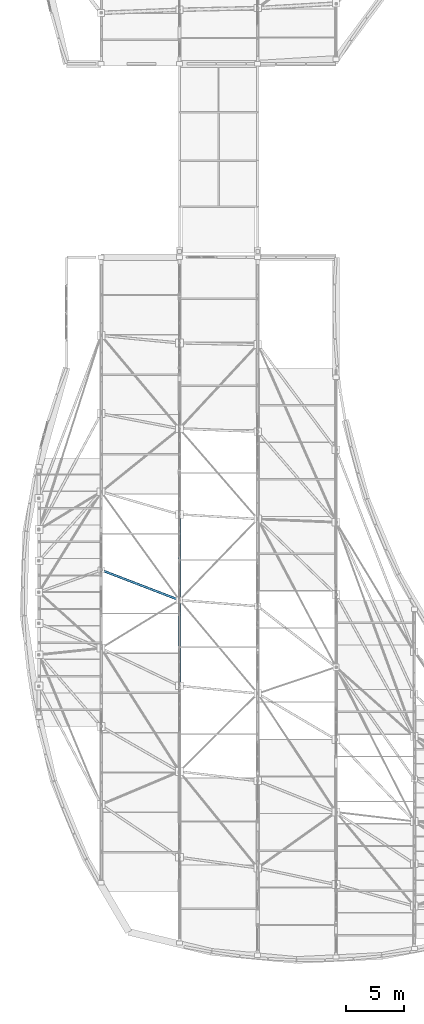
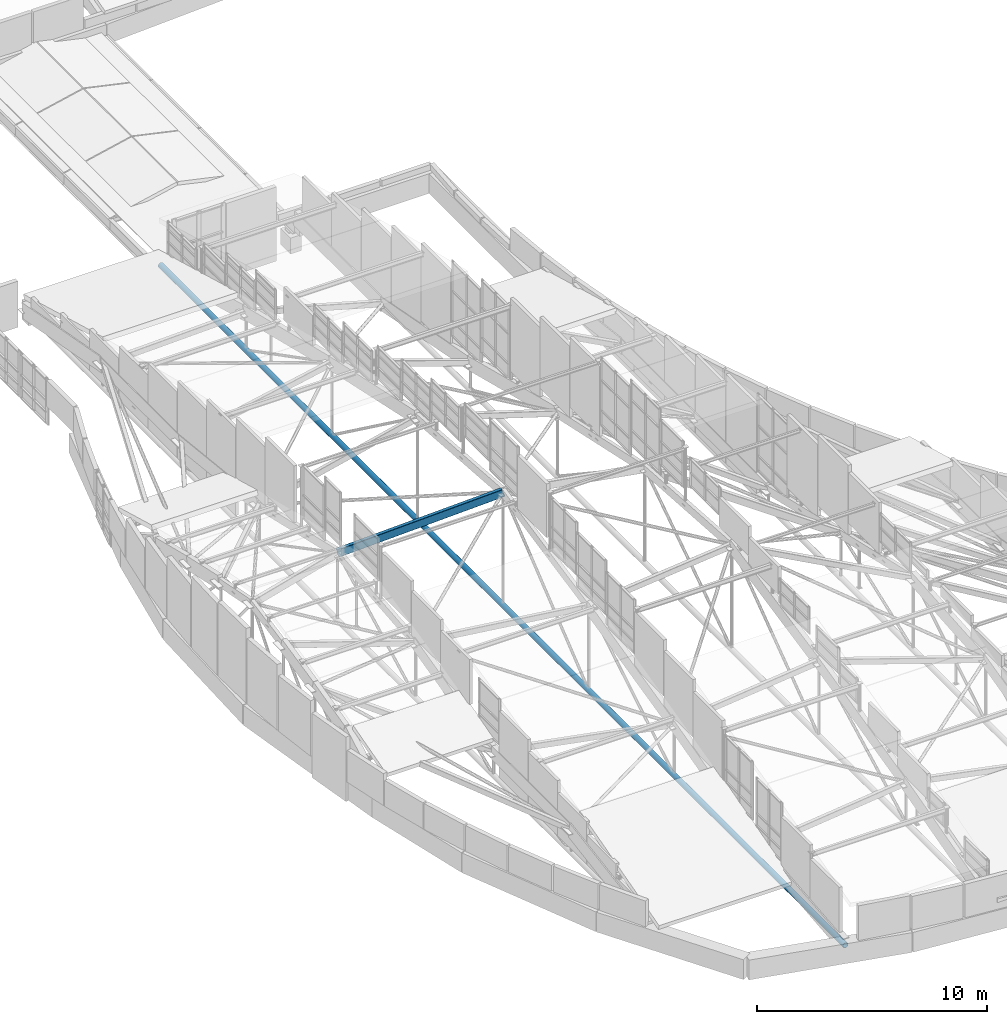
# One storey, part 41 of 188: 2 members.
"""IFC4 building model written with IfcOpenShell, lengths in metres."""

from ifc_helpers import new_model, si_unit, direction, frame, origin, origin_2d, place, context, subcontext, project, spatial, hollow_rectangle, hollow_circle, extrude, material, material_profile, profile_set, type_object, element, save


model = new_model("IFC4")

# Units and contexts
model_context = context("Model", 3, precision=1e-05, world=origin(), true_north=direction((0.0, 1.0)))
body_context = subcontext(model_context, "Body", "Model", "MODEL_VIEW")
ifc_project = project(units=[si_unit("LENGTHUNIT", "METRE"), si_unit("AREAUNIT", "SQUARE_METRE"), si_unit("VOLUMEUNIT", "CUBIC_METRE"), si_unit("PLANEANGLEUNIT", "RADIAN"), si_unit("MASSUNIT", "GRAM", prefix="KILO")], contexts=[model_context])

# Site, building, storey
site_placement = place(None, origin())
site = spatial("IfcSite", under=ifc_project, at=site_placement, CompositionType="ELEMENT")
building_placement = place(site_placement, origin())
building = spatial("IfcBuilding", under=site, at=building_placement, Name="Kisaragi Civic Commons", CompositionType="ELEMENT")
storey_placement = place(building_placement, frame((0.0, 0.0, 9.60009765625)))
storey = spatial("IfcBuildingStorey", under=building, at=storey_placement, Name="L02", CompositionType="ELEMENT", Elevation=9.60009765625)

# Members
ifc_material = material(Name="Steel SN490 (SN490B)", Category="steel")
ifc_material_profile_1 = material_profile(ifc_material, hollow_rectangle(XDim=0.199951171875, YDim=0.39990234375, WallThickness=0.011962890625, InnerFilletRadius=0.011962890625, OuterFilletRadius=0.02392578125, at=origin_2d()), Name="STKR-400x200x12", Category="steel")
ifc_profile_set_1 = profile_set([ifc_material_profile_1], Name="Steel SN490 (SN490B)")
member_type_1 = type_object("IfcMemberType", Name="GC-01", PredefinedType="CHORD", material=ifc_profile_set_1)
member_1_placement = place(storey_placement, frame((6.800048828125, 35.238037109375, 2.88720703125), z_axis=(0.885238783461, -0.340772277179, 0.316585772522), x_axis=(0.359250738591, 0.933241076476, 0.0)))
element("IfcMember", 1, at=member_1_placement, inside=storey, type_object=member_type_1, Name="V1 wave gridshell chord GC-01 11", PredefinedType="CHORD", context=body_context, shape_type="SweptSolid", body=[
    extrude(hollow_rectangle(XDim=0.199951171875, YDim=0.39990234375, WallThickness=0.011962890625, InnerFilletRadius=0.011962890625, OuterFilletRadius=0.02392578125, at=origin_2d()), origin(), (0.0, 0.0, 1.0), 7.681640625),
])
ifc_material_profile_2 = material_profile(ifc_material, hollow_circle(Radius=0.1337890625, WallThickness=0.009033203125, at=origin_2d()), Name="CHS-267.4x9.0", Category="steel")
ifc_profile_set_2 = profile_set([ifc_material_profile_2], Name="Steel SN490 (SN490B)")
member_type_2 = type_object("IfcMemberType", Name="ST-T1", PredefinedType="STRUT", material=ifc_profile_set_2)
member_2_placement = place(storey_placement, frame((13.60009765625, 2.8408203125, -0.691162109375), z_axis=(0.0, 1.0, 0.0), x_axis=(-1.0, 0.0, 0.0)))
element("IfcMember", 2, at=member_2_placement, inside=storey, type_object=member_type_2, Name="V1 arch tension tie ST-T1 29", PredefinedType="STRUT", context=body_context, shape_type="SweptSolid", body=[
    extrude(hollow_circle(Radius=0.1337890625, WallThickness=0.009033203125, at=origin_2d()), origin(), (0.0, 0.0, 1.0), 59.55908203125),
])

save(model, "model.ifc")
